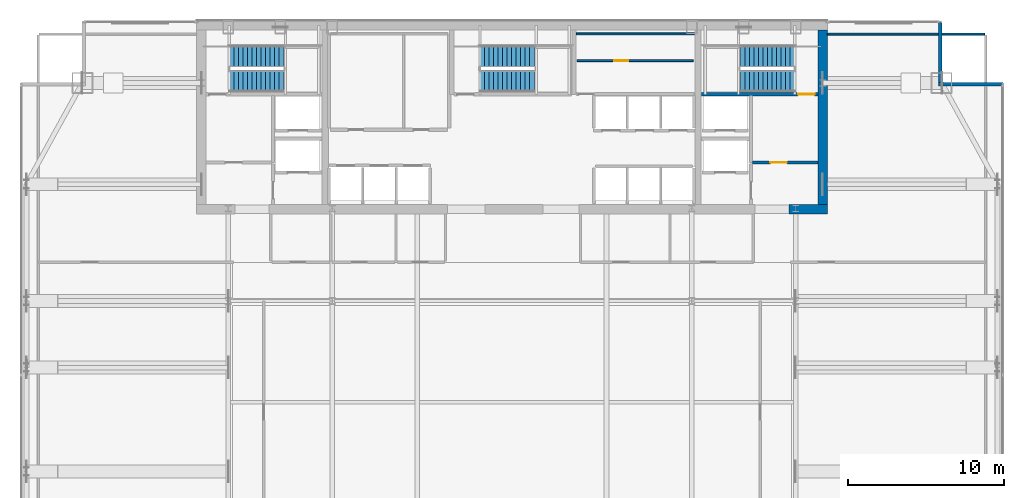
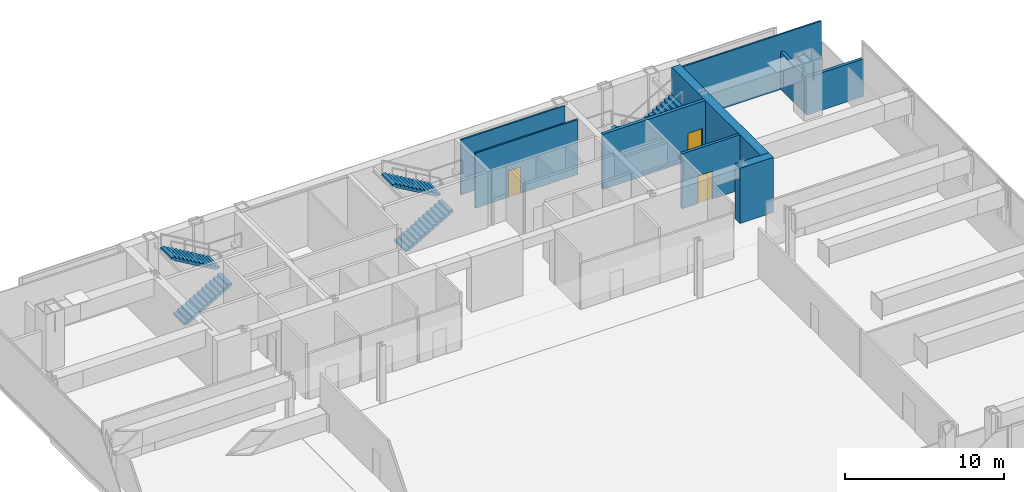
# One storey, part 23 of 25: 9 walls, 6 stair flights, 3 doors, 3 openings, 3 elements without a shape of their own.
"""IFC4 building model written with IfcOpenShell, lengths in metres."""

from ifc_helpers import new_model, si_unit, direction, frame, frame_2d, origin, place, context, subcontext, project, spatial, polyline, rectangle, outline, extrude, material, layer, layer_set, type_object, element, fill, aggregate, save


model = new_model("IFC4")

# Units and contexts
model_context = context("Model", 3, precision=1e-05, world=origin(), true_north=direction((0.0, 1.0)))
body_context = subcontext(model_context, "Body", "Model", "MODEL_VIEW")
ifc_project = project(units=[si_unit("LENGTHUNIT", "METRE"), si_unit("AREAUNIT", "SQUARE_METRE"), si_unit("VOLUMEUNIT", "CUBIC_METRE"), si_unit("PLANEANGLEUNIT", "RADIAN"), si_unit("MASSUNIT", "GRAM", prefix="KILO")], contexts=[model_context])

# Site, building, storey
site_placement = place(None, origin())
site = spatial("IfcSite", under=ifc_project, at=site_placement, CompositionType="ELEMENT")
building_placement = place(site_placement, origin())
building = spatial("IfcBuilding", under=site, at=building_placement, Name="Khoronbel Lancet Exchange", CompositionType="ELEMENT")
storey_placement = place(building_placement, frame((0.0, 0.0, 184.199951171875)))
storey = spatial("IfcBuildingStorey", under=building, at=storey_placement, Name="L46", CompositionType="ELEMENT", Elevation=184.199951171875)

# Walls
ifc_material_1 = material(Name="Concrete C60/75", Category="concrete")
ifc_layer_1 = layer(ifc_material_1, 0.60009765625, Name="Concrete C60/75")
ifc_layer_set_1 = layer_set([ifc_layer_1], Name="Concrete C60/75")
wall_type_1 = type_object("IfcWallType", Name="WL-CW3", PredefinedType="SHEAR", material=ifc_layer_set_1)
wall_1_placement = place(storey_placement, frame((56.39990234375, 53.10009765625, 0.0), z_axis=(0.0, 0.0, 1.0), x_axis=(0.0, -1.0, 0.0)))
element("IfcWall", 1, at=wall_1_placement, inside=storey, type_object=wall_type_1, Name="Level L46 rear core east shear wall", PredefinedType="SHEAR", context=body_context, shape_type="SweptSolid", body=[
    extrude(rectangle(XDim=11.2001953125, YDim=0.60009765625, at=frame_2d((5.60009765625, 0.0))), origin(), (0.0, 0.0, 1.0), 4.239990234375),
])
wall_2_placement = place(storey_placement, frame((56.699951171875, 41.60009765625, 0.0), z_axis=(0.0, 0.0, 1.0), x_axis=(-1.0, 0.0, 0.0)))
element("IfcWall", 2, at=wall_2_placement, inside=storey, type_object=wall_type_1, Name="Level L46 rear core south shear wall pier P5", PredefinedType="SHEAR", context=body_context, shape_type="SweptSolid", body=[
    extrude(rectangle(XDim=2.449951171875, YDim=0.60009765625, at=frame_2d((1.22509765625, 0.0))), origin(), (0.0, 0.0, 1.0), 4.239990234375),
])
ifc_material_2 = material(Name="Precast concrete C40/50", Category="concrete")
ifc_layer_2 = layer(ifc_material_2, 0.25, Name="Precast concrete C40/50")
ifc_layer_set_2 = layer_set([ifc_layer_2], Name="Precast concrete C40/50")
wall_type_2 = type_object("IfcWallType", Name="WL-EXT250", PredefinedType="SOLIDWALL", material=ifc_layer_set_2)
wall_3_placement = place(storey_placement, frame((63.9599609375, 53.6298828125, 0.0), z_axis=(0.0, 0.0, 1.0), x_axis=(0.0, -1.0, 0.0)))
element("IfcWall", 3, at=wall_3_placement, inside=storey, type_object=wall_type_2, Name="Level L46 notched-corner limestone pier 07", PredefinedType="SOLIDWALL", context=body_context, shape_type="SweptSolid", body=[
    extrude(rectangle(XDim=3.909912109375, YDim=0.219970703125, at=frame_2d((1.955078125, 0.0))), origin(), (0.0, 0.0, 1.0), 2.89013671875),
])
wall_4_placement = place(storey_placement, frame((63.85009765625, 49.610107421875, 0.0), z_axis=(0.0, 0.0, 1.0), x_axis=(1.0, 0.0, 0.0)))
element("IfcWall", 4, at=wall_4_placement, inside=storey, type_object=wall_type_2, Name="Level L46 notched-corner limestone pier 08", PredefinedType="SOLIDWALL", context=body_context, shape_type="SweptSolid", body=[
    extrude(rectangle(XDim=4.1298828125, YDim=0.219970703125, at=frame_2d((2.06494140625, 0.0))), origin(), (0.0, 0.0, 1.0), 2.89013671875),
])
ifc_material_3 = material(Name="Acoustic Metal-Stud & Mineral-Wool Gypsum Partition 120 mm", Category="gypsum")
ifc_layer_3 = layer(ifc_material_3, 0.1201171875, Name="Acoustic Metal-Stud & Mineral-Wool Gypsum Partition 120 mm")
ifc_layer_set_3 = layer_set([ifc_layer_3], Name="Acoustic Metal-Stud & Mineral-Wool Gypsum Partition 120 mm")
wall_type_3 = type_object("IfcWallType", Name="WL-PRT120", PredefinedType="PARTITIONING", material=ifc_layer_set_3)
wall_5_placement = place(storey_placement, frame((56.699951171875, 52.840087890625, 0.0), z_axis=(0.0, 0.0, 1.0), x_axis=(1.0, 0.0, 0.0)))
element("IfcWall", 5, at=wall_5_placement, inside=storey, type_object=wall_type_3, Name="Level L46 interior partition PW-LIN-NE", PredefinedType="PARTITIONING", context=body_context, shape_type="SweptSolid", body=[
    extrude(rectangle(XDim=10.10498046875, YDim=0.1201171875, at=frame_2d((5.052490234375, 0.0))), origin(), (0.0, 0.0, 1.0), 4.239990234375),
])
ifc_material_4 = material(Name="Fire-Rated Metal-Stud & Mineral-Wool Gypsum Partition 120 mm", Category="gypsum")
ifc_layer_4 = layer(ifc_material_4, 0.1201171875, Name="Fire-Rated Metal-Stud & Mineral-Wool Gypsum Partition 120 mm")
ifc_layer_set_4 = layer_set([ifc_layer_4], Name="Fire-Rated Metal-Stud & Mineral-Wool Gypsum Partition 120 mm")
wall_type_4 = type_object("IfcWallType", Name="WL-PRT120F", PredefinedType="PARTITIONING", material=ifc_layer_set_4)
wall_6_placement = place(storey_placement, frame((40.580078125, 52.860107421875, 0.0), z_axis=(0.0, 0.0, 1.0), x_axis=(1.0, 0.0, 0.0)))
element("IfcWall", 6, at=wall_6_placement, inside=storey, type_object=wall_type_4, Name="Level L46 interior partition CW-SUP-NE-N", PredefinedType="PARTITIONING", context=body_context, shape_type="SweptSolid", body=[
    extrude(rectangle(XDim=7.559814453125, YDim=0.1201171875, at=frame_2d((3.77978515625, 0.0))), origin(), (0.0, 0.0, 1.0), 4.239990234375),
])

# Wall, opening, door
wall_7_placement = place(storey_placement, frame((40.6298828125, 51.139892578125, 0.0), z_axis=(0.0, 0.0, 1.0), x_axis=(1.0, 0.0, 0.0)))
wall_7 = element("IfcWall", 7, at=wall_7_placement, inside=storey, type_object=wall_type_4, Name="Level L46 interior partition CW-SUP-NE-H", PredefinedType="PARTITIONING", context=body_context, shape_type="SweptSolid", body=[
    extrude(rectangle(XDim=7.460205078125, YDim=0.1201171875, at=frame_2d((3.72998046875, 0.0))), origin(), (0.0, 0.0, 1.0), 4.239990234375),
])
opening_1_placement = place(wall_7_placement, frame((2.39990234375, 0.0, 0.0)))
opening_1 = element("IfcOpeningElement", 8, at=opening_1_placement, cuts=wall_7, Name="Opening FD4", PredefinedType="OPENING", context=body_context, shape_type="SweptSolid", body=[
    extrude(rectangle(XDim=0.89990234375, YDim=2.050048828125, at=frame_2d((0.449951171875, 1.02490234375))), frame((0.0, 0.070068359375, 0.0), z_axis=(0.0, -1.0, 0.0), x_axis=(1.0, 0.0, 0.0)), (0.0, 0.0, 1.0), 0.14013671875),
])
ifc_material_5 = material(Name="Fire-Rated Steel Core Support Door Assembly", Category="steel")
door_type_1 = type_object("IfcDoorType", Name="DR-FD4", OperationType="NOTDEFINED", PredefinedType="DOOR", material=ifc_material_5)
door_1_placement = place(opening_1_placement, origin())
door_1 = element("IfcDoor", 9, at=door_1_placement, inside=storey, type_object=door_type_1, Name="Core NE north store door L46-1", OperationType="SINGLE_SWING_LEFT", OverallHeight=2.050048828125, OverallWidth=0.89990234375, PredefinedType="DOOR", context=body_context, shape_type="SweptSolid", body=[
    extrude(rectangle(XDim=0.89990234375, YDim=2.050048828125, at=frame_2d((0.449951171875, 1.02490234375))), frame((0.0, 0.02490234375, 0.0), z_axis=(0.0, -1.0, 0.0), x_axis=(1.0, 0.0, 0.0)), (0.0, 0.0, 1.0), 0.050048828125),
])
fill(opening_1, door_1)

ifc_material_6 = material(Name="Autoclaved Aerated Concrete Blockwork 200 mm", Category="masonry")
ifc_layer_5 = layer(ifc_material_6, 0.199951171875, Name="Autoclaved Aerated Concrete Blockwork 200 mm")
ifc_layer_set_5 = layer_set([ifc_layer_5], Name="Autoclaved Aerated Concrete Blockwork 200 mm")
wall_type_5 = type_object("IfcWallType", Name="WL-PRT200", PredefinedType="PARTITIONING", material=ifc_layer_set_5)
wall_8_placement = place(storey_placement, frame((51.89990234375, 44.60009765625, 0.0), z_axis=(0.0, 0.0, 1.0), x_axis=(1.0, 0.0, 0.0)))
wall_8 = element("IfcWall", 10, at=wall_8_placement, inside=storey, type_object=wall_type_5, Name="Level L46 interior partition CW-FFLE-S", PredefinedType="PARTITIONING", context=body_context, shape_type="SweptSolid", body=[
    extrude(rectangle(XDim=4.2001953125, YDim=0.199951171875, at=frame_2d((2.10009765625, 0.0))), origin(), (0.0, 0.0, 1.0), 4.239990234375),
])
opening_2_placement = place(wall_8_placement, frame((1.14990234375, 0.0, 0.0)))
opening_2 = element("IfcOpeningElement", 11, at=opening_2_placement, cuts=wall_8, Name="Opening FD1", PredefinedType="OPENING", context=body_context, shape_type="SweptSolid", body=[
    extrude(rectangle(XDim=1.050048828125, YDim=2.14990234375, at=frame_2d((0.52490234375, 1.074951171875))), frame((0.0, 0.10986328125, 0.0), z_axis=(0.0, -1.0, 0.0), x_axis=(1.0, 0.0, 0.0)), (0.0, 0.0, 1.0), 0.219970703125),
])
ifc_material_7 = material(Name="Fire-Rated Painted Steel Door Assembly", Category="steel")
door_type_2 = type_object("IfcDoorType", Name="DR-FD1", OperationType="NOTDEFINED", PredefinedType="DOOR", material=ifc_material_7)
door_2_placement = place(opening_2_placement, origin())
door_2 = element("IfcDoor", 12, at=door_2_placement, inside=storey, type_object=door_type_2, Name="East firefighting lobby FD90S door L46-1", OperationType="SINGLE_SWING_RIGHT", OverallHeight=2.14990234375, OverallWidth=1.050048828125, PredefinedType="DOOR", context=body_context, shape_type="SweptSolid", body=[
    extrude(rectangle(XDim=1.050048828125, YDim=2.14990234375, at=frame_2d((0.52490234375, 1.074951171875))), frame((0.0, 0.02490234375, 0.0), z_axis=(0.0, -1.0, 0.0), x_axis=(1.0, 0.0, 0.0)), (0.0, 0.0, 1.0), 0.050048828125),
])
fill(opening_2, door_2)

ifc_layer_6 = layer(ifc_material_1, 0.260009765625, Name="Concrete C60/75")
ifc_layer_set_6 = layer_set([ifc_layer_6], Name="Concrete C60/75")
wall_type_6 = type_object("IfcWallType", Name="WL-SW3", PredefinedType="SHEAR", material=ifc_layer_set_6)
wall_9_placement = place(storey_placement, frame((48.6298828125, 48.97998046875, 0.0), z_axis=(0.0, 0.0, 1.0), x_axis=(1.0, 0.0, 0.0)))
wall_9 = element("IfcWall", 13, at=wall_9_placement, inside=storey, type_object=wall_type_6, Name="Level L46 east stairwell structural south wall", PredefinedType="SHEAR", context=body_context, shape_type="SweptSolid", body=[
    extrude(rectangle(XDim=7.47021484375, YDim=0.239990234375, at=frame_2d((3.735107421875, 0.0))), origin(), (0.0, 0.0, 1.0), 4.239990234375),
])
opening_3_placement = place(wall_9_placement, frame((6.199951171875, 0.0, 0.0)))
opening_3 = element("IfcOpeningElement", 14, at=opening_3_placement, cuts=wall_9, Name="Opening SD1", PredefinedType="OPENING", context=body_context, shape_type="SweptSolid", body=[
    extrude(rectangle(XDim=1.050048828125, YDim=2.14990234375, at=frame_2d((0.52490234375, 1.074951171875))), frame((0.0, 0.1298828125, 0.0), z_axis=(0.0, -1.0, 0.0), x_axis=(1.0, 0.0, 0.0)), (0.0, 0.0, 1.0), 0.260009765625),
])
ifc_material_8 = material(Name="Fire-Rated Steel Stairwell Door Assembly", Category="steel")
door_type_3 = type_object("IfcDoorType", Name="DR-SD1", OperationType="NOTDEFINED", PredefinedType="DOOR", material=ifc_material_8)
door_3_placement = place(opening_3_placement, origin())
door_3 = element("IfcDoor", 15, at=door_3_placement, inside=storey, type_object=door_type_3, Name="Protected exit stair ST2 door L46", OperationType="SINGLE_SWING_RIGHT", OverallHeight=2.14990234375, OverallWidth=1.050048828125, PredefinedType="DOOR", context=body_context, shape_type="SweptSolid", body=[
    extrude(rectangle(XDim=1.050048828125, YDim=2.14990234375, at=frame_2d((0.52490234375, 1.074951171875))), frame((0.0, 0.02490234375, 0.0), z_axis=(0.0, -1.0, 0.0), x_axis=(1.0, 0.0, 0.0)), (0.0, 0.0, 1.0), 0.050048828125),
])
fill(opening_3, door_3)

# Stair, stair flights
ifc_material_9 = material(Name="Concrete C40/50", Category="concrete")
stair_type = type_object("IfcStairType", Name="STR-CORE150", PredefinedType="HALF_TURN_STAIR", material=ifc_material_9)
stair_1_placement = place(storey_placement, origin())
stair_1 = element("IfcStair", 16, at=stair_1_placement, inside=storey, type_object=stair_type, Name="L46 Protected Exit Stair ST1", PredefinedType="HALF_TURN_STAIR")
stair_flight_type = type_object("IfcStairFlightType", Name="STF-150", PredefinedType="STRAIGHT", material=ifc_material_9)
stair_flight_1_placement = place(storey_placement, frame((18.300048828125, 49.81005859375, 0.0), z_axis=(0.0, 0.0, 1.0), x_axis=(1.0, 0.0, 0.0)))
stair_flight_1 = element("IfcStairFlight", 17, at=stair_flight_1_placement, type_object=stair_flight_type, Name="ST1 flight 1", NumberOfRisers=13, NumberOfTreads=12, PredefinedType="STRAIGHT", RiserHeight=0.169230769, TreadLength=0.29, context=body_context, shape_type="SweptSolid", body=[
    extrude(outline(polyline([(0.0, 0.0), (0.0, 0.169189453125), (0.2900390625, 0.169189453125), (0.2900390625, 0.33837890625), (0.580078125, 0.33837890625), (0.580078125, 0.5078125), (0.8701171875, 0.5078125), (0.8701171875, 0.677001953125), (1.159912109375, 0.677001953125), (1.159912109375, 0.84619140625), (1.449951171875, 0.84619140625), (1.449951171875, 1.015380859375), (1.739990234375, 1.015380859375), (1.739990234375, 1.1845703125), (2.030029296875, 1.1845703125), (2.030029296875, 1.353759765625), (2.320068359375, 1.353759765625), (2.320068359375, 1.523193359375), (2.610107421875, 1.523193359375), (2.610107421875, 1.6923828125), (2.89990234375, 1.6923828125), (2.89990234375, 1.861572265625), (3.18994140625, 1.861572265625), (3.18994140625, 2.03076171875), (3.47998046875, 2.03076171875), (3.47998046875, 2.199951171875), (3.47998046875, 1.857177734375), (0.29736328125, 0.0), (0.0, 0.0)])), frame((0.0, 0.68994140625, 0.0), z_axis=(0.0, -1.0, 0.0), x_axis=(1.0, 0.0, 0.0)), (0.0, 0.0, 1.0), 1.3798828125),
])
stair_flight_2_placement = place(storey_placement, frame((21.780029296875, 51.409912109375, 2.199951171875), z_axis=(0.0, 0.0, 1.0), x_axis=(-1.0, 0.0, 0.0)))
stair_flight_2 = element("IfcStairFlight", 18, at=stair_flight_2_placement, type_object=stair_flight_type, Name="ST1 flight 2", NumberOfRisers=13, NumberOfTreads=12, PredefinedType="STRAIGHT", RiserHeight=0.169230769, TreadLength=0.29, context=body_context, shape_type="SweptSolid", body=[
    extrude(outline(polyline([(0.0, 0.0), (0.0, 0.169189453125), (0.2900390625, 0.169189453125), (0.2900390625, 0.33837890625), (0.580078125, 0.33837890625), (0.580078125, 0.5078125), (0.8701171875, 0.5078125), (0.8701171875, 0.677001953125), (1.159912109375, 0.677001953125), (1.159912109375, 0.84619140625), (1.449951171875, 0.84619140625), (1.449951171875, 1.015380859375), (1.739990234375, 1.015380859375), (1.739990234375, 1.1845703125), (2.030029296875, 1.1845703125), (2.030029296875, 1.353759765625), (2.320068359375, 1.353759765625), (2.320068359375, 1.523193359375), (2.610107421875, 1.523193359375), (2.610107421875, 1.6923828125), (2.89990234375, 1.6923828125), (2.89990234375, 1.861572265625), (3.18994140625, 1.861572265625), (3.18994140625, 2.03076171875), (3.47998046875, 2.03076171875), (3.47998046875, 2.199951171875), (3.47998046875, 1.857177734375), (0.29736328125, 0.0), (0.0, 0.0)])), frame((0.0, 0.68994140625, 0.0), z_axis=(0.0, -1.0, 0.0), x_axis=(1.0, 0.0, 0.0)), (0.0, 0.0, 1.0), 1.3798828125),
])
aggregate(stair_1, [stair_flight_1, stair_flight_2])

stair_2_placement = place(storey_placement, origin())
stair_2 = element("IfcStair", 19, at=stair_2_placement, inside=storey, type_object=stair_type, Name="L46 Protected Exit Stair ST2", PredefinedType="HALF_TURN_STAIR")
stair_flight_3_placement = place(storey_placement, frame((54.60009765625, 51.409912109375, 0.0), z_axis=(0.0, 0.0, 1.0), x_axis=(-1.0, 0.0, 0.0)))
stair_flight_3 = element("IfcStairFlight", 20, at=stair_flight_3_placement, type_object=stair_flight_type, Name="ST2 flight 1", NumberOfRisers=13, NumberOfTreads=12, PredefinedType="STRAIGHT", RiserHeight=0.169230769, TreadLength=0.29, context=body_context, shape_type="SweptSolid", body=[
    extrude(outline(polyline([(0.0, 0.0), (0.0, 0.169189453125), (0.2900390625, 0.169189453125), (0.2900390625, 0.33837890625), (0.580078125, 0.33837890625), (0.580078125, 0.5078125), (0.8701171875, 0.5078125), (0.8701171875, 0.677001953125), (1.159912109375, 0.677001953125), (1.159912109375, 0.84619140625), (1.449951171875, 0.84619140625), (1.449951171875, 1.015380859375), (1.739990234375, 1.015380859375), (1.739990234375, 1.1845703125), (2.030029296875, 1.1845703125), (2.030029296875, 1.353759765625), (2.320068359375, 1.353759765625), (2.320068359375, 1.523193359375), (2.610107421875, 1.523193359375), (2.610107421875, 1.6923828125), (2.89990234375, 1.6923828125), (2.89990234375, 1.861572265625), (3.18994140625, 1.861572265625), (3.18994140625, 2.03076171875), (3.47998046875, 2.03076171875), (3.47998046875, 2.199951171875), (3.47998046875, 1.857177734375), (0.29736328125, 0.0), (0.0, 0.0)])), frame((0.0, 0.68994140625, 0.0), z_axis=(0.0, -1.0, 0.0), x_axis=(1.0, 0.0, 0.0)), (0.0, 0.0, 1.0), 1.3798828125),
])
stair_flight_4_placement = place(storey_placement, frame((51.1201171875, 49.81005859375, 2.199951171875), z_axis=(0.0, 0.0, 1.0), x_axis=(1.0, 0.0, 0.0)))
stair_flight_4 = element("IfcStairFlight", 21, at=stair_flight_4_placement, type_object=stair_flight_type, Name="ST2 flight 2", NumberOfRisers=13, NumberOfTreads=12, PredefinedType="STRAIGHT", RiserHeight=0.169230769, TreadLength=0.29, context=body_context, shape_type="SweptSolid", body=[
    extrude(outline(polyline([(0.0, 0.0), (0.0, 0.169189453125), (0.2900390625, 0.169189453125), (0.2900390625, 0.33837890625), (0.580078125, 0.33837890625), (0.580078125, 0.5078125), (0.8701171875, 0.5078125), (0.8701171875, 0.677001953125), (1.159912109375, 0.677001953125), (1.159912109375, 0.84619140625), (1.449951171875, 0.84619140625), (1.449951171875, 1.015380859375), (1.739990234375, 1.015380859375), (1.739990234375, 1.1845703125), (2.030029296875, 1.1845703125), (2.030029296875, 1.353759765625), (2.320068359375, 1.353759765625), (2.320068359375, 1.523193359375), (2.610107421875, 1.523193359375), (2.610107421875, 1.6923828125), (2.89990234375, 1.6923828125), (2.89990234375, 1.861572265625), (3.18994140625, 1.861572265625), (3.18994140625, 2.03076171875), (3.47998046875, 2.03076171875), (3.47998046875, 2.199951171875), (3.47998046875, 1.857177734375), (0.29736328125, 0.0), (0.0, 0.0)])), frame((0.0, 0.68994140625, 0.0), z_axis=(0.0, -1.0, 0.0), x_axis=(1.0, 0.0, 0.0)), (0.0, 0.0, 1.0), 1.3798828125),
])
aggregate(stair_2, [stair_flight_3, stair_flight_4])

stair_3_placement = place(storey_placement, origin())
stair_3 = element("IfcStair", 22, at=stair_3_placement, inside=storey, type_object=stair_type, Name="L46 Protected Exit Stair ST3", PredefinedType="HALF_TURN_STAIR")
stair_flight_5_placement = place(storey_placement, frame((34.39990234375, 49.81005859375, 0.0), z_axis=(0.0, 0.0, 1.0), x_axis=(1.0, 0.0, 0.0)))
stair_flight_5 = element("IfcStairFlight", 23, at=stair_flight_5_placement, type_object=stair_flight_type, Name="ST3 flight 1", NumberOfRisers=13, NumberOfTreads=12, PredefinedType="STRAIGHT", RiserHeight=0.169230769, TreadLength=0.29, context=body_context, shape_type="SweptSolid", body=[
    extrude(outline(polyline([(0.0, 0.0), (0.0, 0.169189453125), (0.2900390625, 0.169189453125), (0.2900390625, 0.33837890625), (0.580078125, 0.33837890625), (0.580078125, 0.5078125), (0.8701171875, 0.5078125), (0.8701171875, 0.677001953125), (1.159912109375, 0.677001953125), (1.159912109375, 0.84619140625), (1.449951171875, 0.84619140625), (1.449951171875, 1.015380859375), (1.739990234375, 1.015380859375), (1.739990234375, 1.1845703125), (2.030029296875, 1.1845703125), (2.030029296875, 1.353759765625), (2.320068359375, 1.353759765625), (2.320068359375, 1.523193359375), (2.610107421875, 1.523193359375), (2.610107421875, 1.6923828125), (2.89990234375, 1.6923828125), (2.89990234375, 1.861572265625), (3.18994140625, 1.861572265625), (3.18994140625, 2.03076171875), (3.47998046875, 2.03076171875), (3.47998046875, 2.199951171875), (3.47998046875, 1.857177734375), (0.29736328125, 0.0), (0.0, 0.0)])), frame((0.0, 0.68994140625, 0.0), z_axis=(0.0, -1.0, 0.0), x_axis=(1.0, 0.0, 0.0)), (0.0, 0.0, 1.0), 1.3798828125),
])
stair_flight_6_placement = place(storey_placement, frame((37.8798828125, 51.409912109375, 2.199951171875), z_axis=(0.0, 0.0, 1.0), x_axis=(-1.0, 0.0, 0.0)))
stair_flight_6 = element("IfcStairFlight", 24, at=stair_flight_6_placement, type_object=stair_flight_type, Name="ST3 flight 2", NumberOfRisers=13, NumberOfTreads=12, PredefinedType="STRAIGHT", RiserHeight=0.169230769, TreadLength=0.29, context=body_context, shape_type="SweptSolid", body=[
    extrude(outline(polyline([(0.0, 0.0), (0.0, 0.169189453125), (0.2900390625, 0.169189453125), (0.2900390625, 0.33837890625), (0.580078125, 0.33837890625), (0.580078125, 0.5078125), (0.8701171875, 0.5078125), (0.8701171875, 0.677001953125), (1.159912109375, 0.677001953125), (1.159912109375, 0.84619140625), (1.449951171875, 0.84619140625), (1.449951171875, 1.015380859375), (1.739990234375, 1.015380859375), (1.739990234375, 1.1845703125), (2.030029296875, 1.1845703125), (2.030029296875, 1.353759765625), (2.320068359375, 1.353759765625), (2.320068359375, 1.523193359375), (2.610107421875, 1.523193359375), (2.610107421875, 1.6923828125), (2.89990234375, 1.6923828125), (2.89990234375, 1.861572265625), (3.18994140625, 1.861572265625), (3.18994140625, 2.03076171875), (3.47998046875, 2.03076171875), (3.47998046875, 2.199951171875), (3.47998046875, 1.857177734375), (0.29736328125, 0.0), (0.0, 0.0)])), frame((0.0, 0.68994140625, 0.0), z_axis=(0.0, -1.0, 0.0), x_axis=(1.0, 0.0, 0.0)), (0.0, 0.0, 1.0), 1.3798828125),
])
aggregate(stair_3, [stair_flight_5, stair_flight_6])

save(model, "model.ifc")
